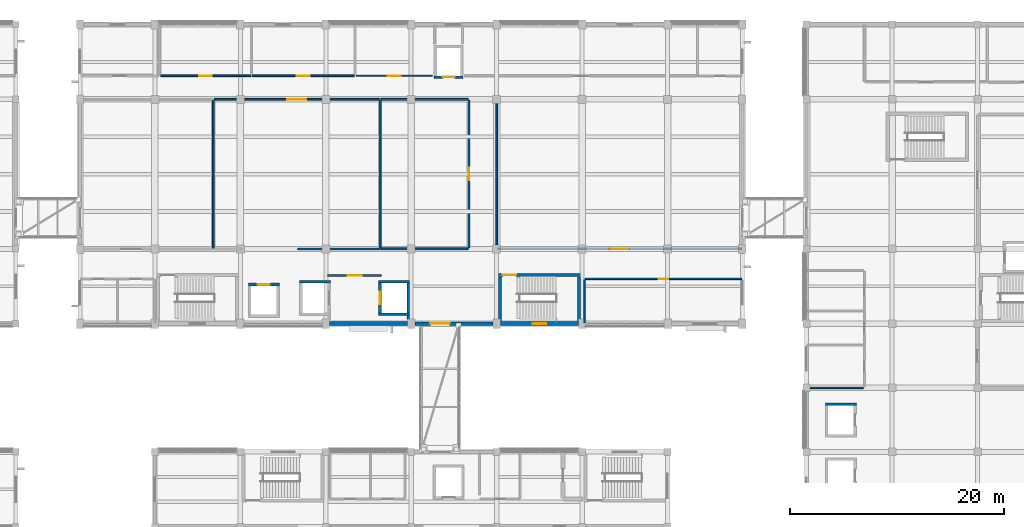
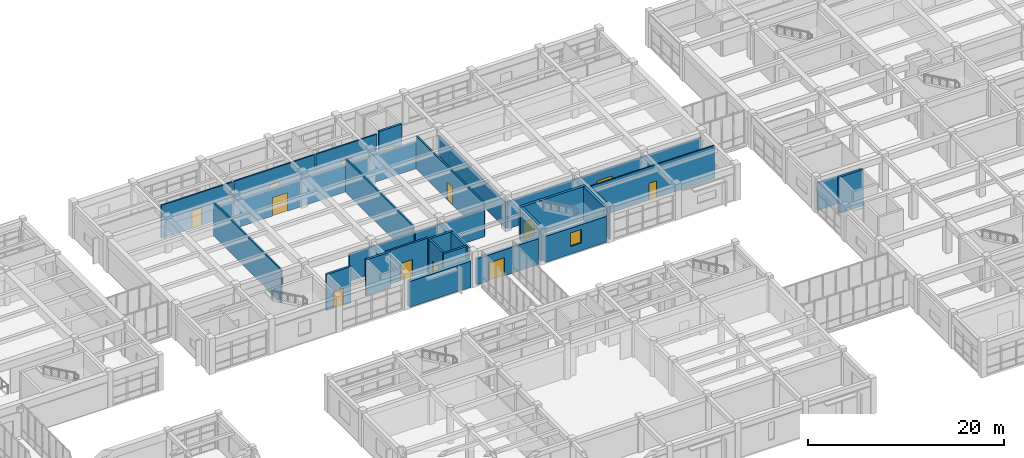
# One storey, part 52 of 72: 30 walls, 13 doors, 1 window, 14 openings.
"""IFC4 building model written with IfcOpenShell, lengths in metres."""

from ifc_helpers import new_model, si_unit, direction, frame, frame_2d, origin, place, context, subcontext, project, spatial, rectangle, extrude, material, layer, layer_set, type_object, element, fill, save


model = new_model("IFC4")

# Units and contexts
model_context = context("Model", 3, precision=1e-05, world=origin(), true_north=direction((0.0, 1.0)))
body_context = subcontext(model_context, "Body", "Model", "MODEL_VIEW")
ifc_project = project(units=[si_unit("LENGTHUNIT", "METRE"), si_unit("AREAUNIT", "SQUARE_METRE"), si_unit("VOLUMEUNIT", "CUBIC_METRE"), si_unit("PLANEANGLEUNIT", "RADIAN"), si_unit("MASSUNIT", "GRAM", prefix="KILO")], contexts=[model_context])

# Site, building, storey
site_placement = place(None, origin())
site = spatial("IfcSite", under=ifc_project, at=site_placement, CompositionType="ELEMENT")
building_placement = place(site_placement, origin())
building = spatial("IfcBuilding", under=site, at=building_placement, Name="Naurynzar Civic Courthouse", CompositionType="ELEMENT")
storey_placement = place(building_placement, frame((0.0, 0.0, 9.89990234375)))
storey = spatial("IfcBuildingStorey", under=building, at=storey_placement, Name="L03", CompositionType="ELEMENT", Elevation=9.89990234375)

# Wall
ifc_material_1 = material(Name="Acoustic Double-Stud Gypsum Partition")
ifc_layer_1 = layer(ifc_material_1, 0.1650390625)
ifc_layer_set_1 = layer_set([ifc_layer_1], Name="WL-ACOUSTIC-165")
wall_type_1 = type_object("IfcWallType", Name="WL-ACOUSTIC-165", PredefinedType="PARTITIONING", material=ifc_layer_set_1)
wall_1_placement = place(storey_placement, frame((82.39990234375, 51.0, 0.0), z_axis=(0.0, 0.0, 1.0), x_axis=(1.0, 0.0, 0.0)))
element("IfcWall", 1, at=wall_1_placement, inside=storey, type_object=wall_type_1, Name="V2 interior partition L03.355", PredefinedType="PARTITIONING", context=body_context, shape_type="SweptSolid", body=[
    extrude(rectangle(XDim=7.60009765625, YDim=0.1650390625, at=frame_2d((3.800048828125, 0.0))), origin(), (0.0, 0.0, 1.0), 3.400146484375),
])

# Wall, opening, door
wall_2_placement = place(storey_placement, frame((74.56005859375, 65.0, 0.0), z_axis=(0.0, 0.0, 1.0), x_axis=(1.0, 0.0, 0.0)))
wall_2 = element("IfcWall", 2, at=wall_2_placement, inside=storey, type_object=wall_type_1, Name="V2 interior partition L03.365", PredefinedType="PARTITIONING", context=body_context, shape_type="SweptSolid", body=[
    extrude(rectangle(XDim=15.43994140625, YDim=0.1650390625, at=frame_2d((7.719970703125, 0.0))), origin(), (0.0, 0.0, 1.0), 3.400146484375),
])
opening_1_placement = place(wall_2_placement, frame((6.820068359375, 0.0, 0.0)))
opening_1 = element("IfcOpeningElement", 3, at=opening_1_placement, cuts=wall_2, Name="Opening D-130", PredefinedType="OPENING", context=body_context, shape_type="SweptSolid", body=[
    extrude(rectangle(XDim=1.800048828125, YDim=2.300048828125, at=frame_2d((0.89990234375, 1.14990234375))), frame((0.0, 0.092529296875, 0.0), z_axis=(0.0, -1.0, 0.0), x_axis=(1.0, 0.0, 0.0)), (0.0, 0.0, 1.0), 0.18505859375),
])
ifc_material_2 = material(Name="Acoustic Oak Timber Grade A", Category="wood")
door_type_1 = type_object("IfcDoorType", Name="DR-COURT-DBL-1800x2300", OperationType="DOUBLE_DOOR_SINGLE_SWING", PredefinedType="DOOR", material=ifc_material_2)
door_1_placement = place(opening_1_placement, origin())
door_1 = element("IfcDoor", 4, at=door_1_placement, inside=storey, type_object=door_type_1, Name="Interior door D-130 (Civil Jury Courtroom 3B)", OperationType="DOUBLE_DOOR_SINGLE_SWING", OverallHeight=2.300048828125, OverallWidth=1.800048828125, PredefinedType="DOOR", context=body_context, shape_type="SweptSolid", body=[
    extrude(rectangle(XDim=1.800048828125, YDim=2.300048828125, at=frame_2d((0.89990234375, 1.14990234375))), frame((0.0, 0.02490234375, 0.0), z_axis=(0.0, -1.0, 0.0), x_axis=(1.0, 0.0, 0.0)), (0.0, 0.0, 1.0), 0.050048828125),
])
fill(opening_1, door_1)

# Wall
wall_3_placement = place(storey_placement, frame((74.47998046875, 51.080078125, 0.0), z_axis=(0.0, 0.0, 1.0), x_axis=(0.0, 1.0, 0.0)))
element("IfcWall", 5, at=wall_3_placement, inside=storey, type_object=wall_type_1, Name="V2 interior partition L03.402", PredefinedType="PARTITIONING", context=body_context, shape_type="SweptSolid", body=[
    extrude(rectangle(XDim=13.83984375, YDim=0.1650390625, at=frame_2d((6.919921875, 0.0))), origin(), (0.0, 0.0, 1.0), 4.14013671875),
])

# Wall, opening, door
ifc_material_3 = material(Name="Acoustic Double-Stud Gypsum Partition")
ifc_layer_2 = layer(ifc_material_3, 0.175048828125)
ifc_layer_set_2 = layer_set([ifc_layer_2], Name="WL-ACOUSTIC-175")
wall_type_2 = type_object("IfcWallType", Name="WL-ACOUSTIC-175", PredefinedType="PARTITIONING", material=ifc_layer_set_2)
wall_4_placement = place(storey_placement, frame((101.080078125, 51.0, 0.0), z_axis=(0.0, 0.0, 1.0), x_axis=(1.0, 0.0, 0.0)))
wall_4 = element("IfcWall", 6, at=wall_4_placement, inside=storey, type_object=wall_type_2, Name="V2 interior partition L03.357", PredefinedType="PARTITIONING", context=body_context, shape_type="SweptSolid", body=[
    extrude(rectangle(XDim=22.83984375, YDim=0.175048828125, at=frame_2d((11.419921875, 0.0))), origin(), (0.0, 0.0, 1.0), 3.400146484375),
])
opening_2_placement = place(wall_4_placement, frame((10.52001953125, 0.0, 0.0)))
opening_2 = element("IfcOpeningElement", 7, at=opening_2_placement, cuts=wall_4, Name="Opening D-132", PredefinedType="OPENING", context=body_context, shape_type="SweptSolid", body=[
    extrude(rectangle(XDim=1.800048828125, YDim=2.300048828125, at=frame_2d((0.89990234375, 1.14990234375))), frame((0.0, 0.097412109375, 0.0), z_axis=(0.0, -1.0, 0.0), x_axis=(1.0, 0.0, 0.0)), (0.0, 0.0, 1.0), 0.195068359375),
])
door_2_placement = place(opening_2_placement, origin())
door_2 = element("IfcDoor", 8, at=door_2_placement, inside=storey, type_object=door_type_1, Name="Interior door D-132 (Civil Chamber Courtroom L03-E)", OperationType="DOUBLE_DOOR_SINGLE_SWING", OverallHeight=2.300048828125, OverallWidth=1.800048828125, PredefinedType="DOOR", context=body_context, shape_type="SweptSolid", body=[
    extrude(rectangle(XDim=1.800048828125, YDim=2.300048828125, at=frame_2d((0.89990234375, 1.14990234375))), frame((0.0, 0.02490234375, 0.0), z_axis=(0.0, -1.0, 0.0), x_axis=(1.0, 0.0, 0.0)), (0.0, 0.0, 1.0), 0.050048828125),
])
fill(opening_2, door_2)

# Wall
wall_5_placement = place(storey_placement, frame((101.0, 51.080078125, 0.0), z_axis=(0.0, 0.0, 1.0), x_axis=(0.0, 1.0, 0.0)))
element("IfcWall", 9, at=wall_5_placement, inside=storey, type_object=wall_type_2, Name="V2 interior partition L03.416", PredefinedType="PARTITIONING", context=body_context, shape_type="SweptSolid", body=[
    extrude(rectangle(XDim=13.83984375, YDim=0.175048828125, at=frame_2d((6.919921875, 0.0))), origin(), (0.0, 0.0, 1.0), 3.25),
])

# Wall, opening, door
ifc_material_4 = material(Name="Concrete C40/50", Category="concrete")
ifc_layer_3 = layer(ifc_material_4, 0.300048828125)
ifc_layer_set_3 = layer_set([ifc_layer_3], Name="WL-CORE-300")
wall_type_3 = type_object("IfcWallType", Name="WL-CORE-300", PredefinedType="SHEAR", material=ifc_layer_set_3)
wall_6_placement = place(storey_placement, frame((108.85009765625, 48.550048828125, 0.0), z_axis=(0.0, 0.0, 1.0), x_axis=(-1.0, 0.0, 0.0)))
wall_6 = element("IfcWall", 10, at=wall_6_placement, inside=storey, type_object=wall_type_3, Name="Stair ST-V2B enclosure wall north L03", PredefinedType="SHEAR", context=body_context, shape_type="SweptSolid", body=[
    extrude(rectangle(XDim=7.7001953125, YDim=0.300048828125, at=frame_2d((3.85009765625, 0.0))), origin(), (0.0, 0.0, 1.0), 4.2001953125),
])
opening_3_placement = place(wall_6_placement, frame((6.02490234375, 0.0, 0.0)))
opening_3 = element("IfcOpeningElement", 11, at=opening_3_placement, cuts=wall_6, Name="Opening SD-037", PredefinedType="OPENING", context=body_context, shape_type="SweptSolid", body=[
    extrude(rectangle(XDim=1.25, YDim=2.14990234375, at=frame_2d((0.625, 1.074951171875))), frame((0.0, 0.159912109375, 0.0), z_axis=(0.0, -1.0, 0.0), x_axis=(1.0, 0.0, 0.0)), (0.0, 0.0, 1.0), 0.320068359375),
])
ifc_material_5 = material(Name="Powder-Coated Galvanised Steel", Category="steel")
door_type_2 = type_object("IfcDoorType", Name="DR-STAIR-1250x2150", OperationType="NOTDEFINED", PredefinedType="DOOR", material=ifc_material_5)
door_3_placement = place(opening_3_placement, origin())
door_3 = element("IfcDoor", 12, at=door_3_placement, inside=storey, type_object=door_type_2, Name="Stair ST-V2B fire door L03", OperationType="SINGLE_SWING_LEFT", OverallHeight=2.14990234375, OverallWidth=1.25, PredefinedType="DOOR", context=body_context, shape_type="SweptSolid", body=[
    extrude(rectangle(XDim=1.25, YDim=2.14990234375, at=frame_2d((0.625, 1.074951171875))), frame((0.0, 0.02490234375, 0.0), z_axis=(0.0, -1.0, 0.0), x_axis=(1.0, 0.0, 0.0)), (0.0, 0.0, 1.0), 0.050048828125),
])
fill(opening_3, door_3)

# Walls
for number, where, z_axis, x_axis, name in (
    (13, (101.300048828125, 48.39501953125, 0.0), (0.0, 0.0, 1.0), (0.0, -1.0, 0.0), "Stair ST-V2B enclosure wall west L03"),
    (14, (108.699951171875, 44.195068359375, 0.0), (0.0, 0.0, 1.0), (0.0, 1.0, 0.0), "Stair ST-V2B enclosure wall east L03"),
):
    element("IfcWall", number, at=place(storey_placement, frame(where, z_axis=z_axis, x_axis=x_axis)), inside=storey, type_object=wall_type_3, Name=name, PredefinedType="SHEAR", context=body_context, shape_type="SweptSolid", body=[
        extrude(rectangle(XDim=4.199951171875, YDim=0.300048828125, at=frame_2d((2.10009765625, 0.0))), origin(), (0.0, 0.0, 1.0), 4.2001953125),
    ])

# Wall, opening, door
ifc_material_6 = material(Name="Precast concrete C40/50", Category="concrete")
ifc_layer_4 = layer(ifc_material_6, 0.300048828125)
ifc_layer_set_4 = layer_set([ifc_layer_4], Name="WL-EXT-300")
wall_type_4 = type_object("IfcWallType", Name="WL-EXT-300", PredefinedType="SOLIDWALL", material=ifc_layer_set_4)
wall_7_placement = place(storey_placement, frame((100.64990234375, 44.0, 0.0), z_axis=(0.0, 0.0, 1.0), x_axis=(-1.0, 0.0, 0.0)))
wall_7 = element("IfcWall", 15, at=wall_7_placement, inside=storey, type_object=wall_type_4, Name="V2 exterior wall south L03.4.1", PredefinedType="SOLIDWALL", context=body_context, shape_type="SweptSolid", body=[
    extrude(rectangle(XDim=7.2998046875, YDim=0.300048828125, at=frame_2d((3.64990234375, 0.0))), origin(), (0.0, 0.0, 1.0), 3.22998046875),
])
opening_4_placement = place(wall_7_placement, frame((4.050048828125, 0.0, 0.0)))
opening_4 = element("IfcOpeningElement", 16, at=opening_4_placement, cuts=wall_7, Name="Opening BD-13", PredefinedType="OPENING", context=body_context, shape_type="SweptSolid", body=[
    extrude(rectangle(XDim=1.800048828125, YDim=2.25, at=frame_2d((0.89990234375, 1.125))), frame((0.0, 0.159912109375, 0.0), z_axis=(0.0, -1.0, 0.0), x_axis=(1.0, 0.0, 0.0)), (0.0, 0.0, 1.0), 0.320068359375),
])
ifc_material_7 = material(Name="Aluminium 6063-T6", Category="aluminium")
door_type_3 = type_object("IfcDoorType", Name="DR-BRG-1800x2250", OperationType="DOUBLE_DOOR_SINGLE_SWING", PredefinedType="DOOR", material=ifc_material_7)
door_4_placement = place(opening_4_placement, origin())
door_4 = element("IfcDoor", 17, at=door_4_placement, inside=storey, type_object=door_type_3, Name="Seismic bridge fire door BD-13", OperationType="DOUBLE_DOOR_SINGLE_SWING", OverallHeight=2.25, OverallWidth=1.800048828125, PredefinedType="DOOR", context=body_context, shape_type="SweptSolid", body=[
    extrude(rectangle(XDim=1.800048828125, YDim=2.25, at=frame_2d((0.89990234375, 1.125))), frame((0.0, 0.02490234375, 0.0), z_axis=(0.0, -1.0, 0.0), x_axis=(1.0, 0.0, 0.0)), (0.0, 0.0, 1.0), 0.050048828125),
])
fill(opening_4, door_4)

ifc_material_8 = material(Name="Concrete C35/45", Category="concrete")
ifc_layer_5 = layer(ifc_material_8, 0.219970703125)
ifc_layer_set_5 = layer_set([ifc_layer_5], Name="WL-FFL-220")
wall_type_5 = type_object("IfcWallType", Name="WL-FFL-220", PredefinedType="SOLIDWALL", material=ifc_layer_set_5)
wall_8_placement = place(storey_placement, frame((85.179931640625, 48.510009765625, 0.0), z_axis=(0.0, 0.0, 1.0), x_axis=(1.0, 0.0, 0.0)))
wall_8 = element("IfcWall", 18, at=wall_8_placement, inside=storey, type_object=wall_type_5, Name="Firefighting lift lobby EI 120 wall CORE-V2 L03 north", PredefinedType="SOLIDWALL", context=body_context, shape_type="SweptSolid", body=[
    extrude(rectangle(XDim=5.0400390625, YDim=0.219970703125, at=frame_2d((2.52001953125, 0.0))), origin(), (0.0, 0.0, 1.0), 4.2001953125),
])
opening_5_placement = place(wall_8_placement, frame((1.8701171875, 0.0, 0.0)))
opening_5 = element("IfcOpeningElement", 19, at=opening_5_placement, cuts=wall_8, Name="Opening FD-04", PredefinedType="OPENING", context=body_context, shape_type="SweptSolid", body=[
    extrude(rectangle(XDim=1.300048828125, YDim=2.14990234375, at=frame_2d((0.64990234375, 1.074951171875))), frame((0.0, 0.119873046875, 0.0), z_axis=(0.0, -1.0, 0.0), x_axis=(1.0, 0.0, 0.0)), (0.0, 0.0, 1.0), 0.239990234375),
])
ifc_material_9 = material(Name="Powder-Coated Galvanised Steel", Category="steel")
door_type_4 = type_object("IfcDoorType", Name="DR-FFL-1300x2150", OperationType="NOTDEFINED", PredefinedType="DOOR", material=ifc_material_9)
door_5_placement = place(opening_5_placement, origin())
door_5 = element("IfcDoor", 20, at=door_5_placement, inside=storey, type_object=door_type_4, Name="Firefighting lift lobby door FD-04", OperationType="SINGLE_SWING_RIGHT", OverallHeight=2.14990234375, OverallWidth=1.300048828125, PredefinedType="DOOR", context=body_context, shape_type="SweptSolid", body=[
    extrude(rectangle(XDim=1.300048828125, YDim=2.14990234375, at=frame_2d((0.64990234375, 1.074951171875))), frame((0.0, 0.02490234375, 0.0), z_axis=(0.0, -1.0, 0.0), x_axis=(1.0, 0.0, 0.0)), (0.0, 0.0, 1.0), 0.050048828125),
])
fill(opening_5, door_5)

ifc_material_10 = material(Name="Insulated Metal-Stud Gypsum Partition")
ifc_layer_6 = layer(ifc_material_10, 0.159912109375)
ifc_layer_set_6 = layer_set([ifc_layer_6], Name="WL-PART-CHAMB-160")
wall_type_6 = type_object("IfcWallType", Name="WL-PART-CHAMB-160", PredefinedType="PARTITIONING", material=ifc_layer_set_6)
wall_9_placement = place(storey_placement, frame((69.5400390625, 67.199951171875, 0.0), z_axis=(0.0, 0.0, 1.0), x_axis=(1.0, 0.0, 0.0)))
wall_9 = element("IfcWall", 21, at=wall_9_placement, inside=storey, type_object=wall_type_6, Name="V2 interior partition L03.378", PredefinedType="PARTITIONING", context=body_context, shape_type="SweptSolid", body=[
    extrude(rectangle(XDim=8.419921875, YDim=0.159912109375, at=frame_2d((4.2099609375, 0.0))), origin(), (0.0, 0.0, 1.0), 4.14013671875),
])
opening_6_placement = place(wall_9_placement, frame((3.6201171875, 0.0, 0.0)))
opening_6 = element("IfcOpeningElement", 22, at=opening_6_placement, cuts=wall_9, Name="Opening D-134", PredefinedType="OPENING", context=body_context, shape_type="SweptSolid", body=[
    extrude(rectangle(XDim=1.179931640625, YDim=2.199951171875, at=frame_2d((0.58984375, 1.10009765625))), frame((0.0, 0.08984375, 0.0), z_axis=(0.0, -1.0, 0.0), x_axis=(1.0, 0.0, 0.0)), (0.0, 0.0, 1.0), 0.179931640625),
])
ifc_material_11 = material(Name="Acoustic Oak Timber Grade A", Category="wood")
door_type_5 = type_object("IfcDoorType", Name="DR-SUITE-1180x2200", OperationType="NOTDEFINED", PredefinedType="DOOR", material=ifc_material_11)
door_6_placement = place(opening_6_placement, origin())
door_6 = element("IfcDoor", 23, at=door_6_placement, inside=storey, type_object=door_type_5, Name="Interior door D-134 (Judges' Chambers L03-2)", OperationType="SINGLE_SWING_RIGHT", OverallHeight=2.199951171875, OverallWidth=1.179931640625, PredefinedType="DOOR", context=body_context, shape_type="SweptSolid", body=[
    extrude(rectangle(XDim=1.179931640625, YDim=2.199951171875, at=frame_2d((0.58984375, 1.10009765625))), frame((0.0, 0.02490234375, 0.0), z_axis=(0.0, -1.0, 0.0), x_axis=(1.0, 0.0, 0.0)), (0.0, 0.0, 1.0), 0.050048828125),
])
fill(opening_6, door_6)

wall_10_placement = place(storey_placement, frame((78.1201171875, 67.199951171875, 0.0), z_axis=(0.0, 0.0, 1.0), x_axis=(1.0, 0.0, 0.0)))
wall_10 = element("IfcWall", 24, at=wall_10_placement, inside=storey, type_object=wall_type_6, Name="V2 interior partition L03.379", PredefinedType="PARTITIONING", context=body_context, shape_type="SweptSolid", body=[
    extrude(rectangle(XDim=9.539794921875, YDim=0.159912109375, at=frame_2d((4.77001953125, 0.0))), origin(), (0.0, 0.0, 1.0), 4.14013671875),
])
opening_7_placement = place(wall_10_placement, frame((4.159912109375, 0.0, 0.0)))
opening_7 = element("IfcOpeningElement", 25, at=opening_7_placement, cuts=wall_10, Name="Opening D-135", PredefinedType="OPENING", context=body_context, shape_type="SweptSolid", body=[
    extrude(rectangle(XDim=1.219970703125, YDim=2.199951171875, at=frame_2d((0.60986328125, 1.10009765625))), frame((0.0, 0.08984375, 0.0), z_axis=(0.0, -1.0, 0.0), x_axis=(1.0, 0.0, 0.0)), (0.0, 0.0, 1.0), 0.179931640625),
])
ifc_material_12 = material(Name="Acoustic Oak Timber Grade A", Category="wood")
door_type_6 = type_object("IfcDoorType", Name="DR-SUITE-1220x2200", OperationType="NOTDEFINED", PredefinedType="DOOR", material=ifc_material_12)
door_7_placement = place(opening_7_placement, origin())
door_7 = element("IfcDoor", 26, at=door_7_placement, inside=storey, type_object=door_type_6, Name="Interior door D-135 (Judges' Chambers L03-3)", OperationType="SINGLE_SWING_LEFT", OverallHeight=2.199951171875, OverallWidth=1.219970703125, PredefinedType="DOOR", context=body_context, shape_type="SweptSolid", body=[
    extrude(rectangle(XDim=1.219970703125, YDim=2.199951171875, at=frame_2d((0.60986328125, 1.10009765625))), frame((0.0, 0.02490234375, 0.0), z_axis=(0.0, -1.0, 0.0), x_axis=(1.0, 0.0, 0.0)), (0.0, 0.0, 1.0), 0.050048828125),
])
fill(opening_7, door_7)

wall_11_placement = place(storey_placement, frame((87.820068359375, 67.199951171875, 0.0), z_axis=(0.0, 0.0, 1.0), x_axis=(1.0, 0.0, 0.0)))
wall_11 = element("IfcWall", 27, at=wall_11_placement, inside=storey, type_object=wall_type_6, Name="V2 interior partition L03.380", PredefinedType="PARTITIONING", context=body_context, shape_type="SweptSolid", body=[
    extrude(rectangle(XDim=7.179931640625, YDim=0.159912109375, at=frame_2d((3.58984375, 0.0))), origin(), (0.0, 0.0, 1.0), 4.14013671875),
])
opening_8_placement = place(wall_11_placement, frame((2.9599609375, 0.0, 0.0)))
opening_8 = element("IfcOpeningElement", 28, at=opening_8_placement, cuts=wall_11, Name="Opening D-136", PredefinedType="OPENING", context=body_context, shape_type="SweptSolid", body=[
    extrude(rectangle(XDim=1.260009765625, YDim=2.199951171875, at=frame_2d((0.6298828125, 1.10009765625))), frame((0.0, 0.08984375, 0.0), z_axis=(0.0, -1.0, 0.0), x_axis=(1.0, 0.0, 0.0)), (0.0, 0.0, 1.0), 0.179931640625),
])
ifc_material_13 = material(Name="Acoustic Oak Timber Grade A", Category="wood")
door_type_7 = type_object("IfcDoorType", Name="DR-SUITE-1260x2200", OperationType="NOTDEFINED", PredefinedType="DOOR", material=ifc_material_13)
door_8_placement = place(opening_8_placement, origin())
door_8 = element("IfcDoor", 29, at=door_8_placement, inside=storey, type_object=door_type_7, Name="Interior door D-136 (Judges' Chambers L03-4)", OperationType="SINGLE_SWING_RIGHT", OverallHeight=2.199951171875, OverallWidth=1.260009765625, PredefinedType="DOOR", context=body_context, shape_type="SweptSolid", body=[
    extrude(rectangle(XDim=1.260009765625, YDim=2.199951171875, at=frame_2d((0.6298828125, 1.10009765625))), frame((0.0, 0.02490234375, 0.0), z_axis=(0.0, -1.0, 0.0), x_axis=(1.0, 0.0, 0.0)), (0.0, 0.0, 1.0), 0.050048828125),
])
fill(opening_8, door_8)

ifc_material_14 = material(Name="Fire-Rated Corridor Gypsum Partition")
ifc_layer_7 = layer(ifc_material_14, 0.14990234375)
ifc_layer_set_7 = layer_set([ifc_layer_7], Name="WL-PART-CORR-150")
wall_type_7 = type_object("IfcWallType", Name="WL-PART-CORR-150", PredefinedType="PARTITIONING", material=ifc_layer_set_7)
wall_12_placement = place(storey_placement, frame((109.280029296875, 48.199951171875, 0.0), z_axis=(0.0, 0.0, 1.0), x_axis=(1.0, 0.0, 0.0)))
wall_12 = element("IfcWall", 30, at=wall_12_placement, inside=storey, type_object=wall_type_7, Name="V2 interior partition L03.348", PredefinedType="PARTITIONING", context=body_context, shape_type="SweptSolid", body=[
    extrude(rectangle(XDim=14.639892578125, YDim=0.14990234375, at=frame_2d((7.31982421875, 0.0))), origin(), (0.0, 0.0, 1.0), 4.14013671875),
])
opening_9_placement = place(wall_12_placement, frame((6.8701171875, 0.0, 0.0)))
opening_9 = element("IfcOpeningElement", 31, at=opening_9_placement, cuts=wall_12, Name="Opening D-128", PredefinedType="OPENING", context=body_context, shape_type="SweptSolid", body=[
    extrude(rectangle(XDim=0.89990234375, YDim=2.10009765625, at=frame_2d((0.449951171875, 1.050048828125))), frame((0.0, 0.0849609375, 0.0), z_axis=(0.0, -1.0, 0.0), x_axis=(1.0, 0.0, 0.0)), (0.0, 0.0, 1.0), 0.169921875),
])
ifc_material_15 = material(Name="Acoustic Oak Timber Grade A", Category="wood")
door_type_8 = type_object("IfcDoorType", Name="DR-SUITE-900x2100", OperationType="NOTDEFINED", PredefinedType="DOOR", material=ifc_material_15)
door_9_placement = place(opening_9_placement, origin())
door_9 = element("IfcDoor", 32, at=door_9_placement, inside=storey, type_object=door_type_8, Name="Interior door D-128 (Witness Waiting Room V2)", OperationType="SINGLE_SWING_RIGHT", OverallHeight=2.10009765625, OverallWidth=0.89990234375, PredefinedType="DOOR", context=body_context, shape_type="SweptSolid", body=[
    extrude(rectangle(XDim=0.89990234375, YDim=2.10009765625, at=frame_2d((0.449951171875, 1.050048828125))), frame((0.0, 0.02490234375, 0.0), z_axis=(0.0, -1.0, 0.0), x_axis=(1.0, 0.0, 0.0)), (0.0, 0.0, 1.0), 0.050048828125),
])
fill(opening_9, door_9)

# Walls
wall_13_placement = place(storey_placement, frame((109.199951171875, 44.080078125, 0.0), z_axis=(0.0, 0.0, 1.0), x_axis=(0.0, 1.0, 0.0)))
element("IfcWall", 33, at=wall_13_placement, inside=storey, type_object=wall_type_7, Name="V2 interior partition L03.419", PredefinedType="PARTITIONING", context=body_context, shape_type="SweptSolid", body=[
    extrude(rectangle(XDim=4.0400390625, YDim=0.14990234375, at=frame_2d((2.02001953125, 0.0))), origin(), (0.0, 0.0, 1.0), 4.14013671875),
])
ifc_material_16 = material(Name="Acoustic Double-Stud Gypsum Partition")
ifc_layer_8 = layer(ifc_material_16, 0.179931640625)
ifc_layer_set_8 = layer_set([ifc_layer_8], Name="WL-PART-JURY-180")
wall_type_8 = type_object("IfcWallType", Name="WL-PART-JURY-180", PredefinedType="PARTITIONING", material=ifc_layer_set_8)
for number, where, z_axis, x_axis, name in (
    (34, (90.159912109375, 51.0, 0.0), (0.0, 0.0, 1.0), (1.0, 0.0, 0.0), "V2 interior partition L03.356"),
    (35, (90.159912109375, 65.0, 0.0), (0.0, 0.0, 1.0), (1.0, 0.0, 0.0), "V2 interior partition L03.366"),
):
    element("IfcWall", number, at=place(storey_placement, frame(where, z_axis=z_axis, x_axis=x_axis)), inside=storey, type_object=wall_type_8, Name=name, PredefinedType="PARTITIONING", context=body_context, shape_type="SweptSolid", body=[
        extrude(rectangle(XDim=8.16015625, YDim=0.179931640625, at=frame_2d((4.080078125, 0.0))), origin(), (0.0, 0.0, 1.0), 3.400146484375),
    ])
wall_14_placement = place(storey_placement, frame((90.080078125, 51.080078125, 0.0), z_axis=(0.0, 0.0, 1.0), x_axis=(0.0, 1.0, 0.0)))
element("IfcWall", 36, at=wall_14_placement, inside=storey, type_object=wall_type_8, Name="V2 interior partition L03.409", PredefinedType="PARTITIONING", context=body_context, shape_type="SweptSolid", body=[
    extrude(rectangle(XDim=13.83984375, YDim=0.179931640625, at=frame_2d((6.919921875, 0.0))), origin(), (0.0, 0.0, 1.0), 4.14013671875),
])

# Wall, opening, door
wall_15_placement = place(storey_placement, frame((98.39990234375, 51.080078125, 0.0), z_axis=(0.0, 0.0, 1.0), x_axis=(0.0, 1.0, 0.0)))
wall_15 = element("IfcWall", 37, at=wall_15_placement, inside=storey, type_object=wall_type_8, Name="V2 interior partition L03.413", PredefinedType="PARTITIONING", context=body_context, shape_type="SweptSolid", body=[
    extrude(rectangle(XDim=13.83984375, YDim=0.179931640625, at=frame_2d((6.919921875, 0.0))), origin(), (0.0, 0.0, 1.0), 4.14013671875),
])
opening_10_placement = place(wall_15_placement, frame((6.344970703125, 0.0, 0.0)))
opening_10 = element("IfcOpeningElement", 38, at=opening_10_placement, cuts=wall_15, Name="Opening D-131", PredefinedType="OPENING", context=body_context, shape_type="SweptSolid", body=[
    extrude(rectangle(XDim=1.14990234375, YDim=2.199951171875, at=frame_2d((0.574951171875, 1.10009765625))), frame((0.0, 0.099853515625, 0.0), z_axis=(0.0, -1.0, 0.0), x_axis=(1.0, 0.0, 0.0)), (0.0, 0.0, 1.0), 0.199951171875),
])
ifc_material_17 = material(Name="Acoustic Oak Timber Grade A", Category="wood")
door_type_9 = type_object("IfcDoorType", Name="DR-JURY-1150x2200", OperationType="NOTDEFINED", PredefinedType="DOOR", material=ifc_material_17)
door_10_placement = place(opening_10_placement, origin())
door_10 = element("IfcDoor", 39, at=door_10_placement, inside=storey, type_object=door_type_9, Name="Interior door D-131 (Jury Room 3B)", OperationType="SINGLE_SWING_LEFT", OverallHeight=2.199951171875, OverallWidth=1.14990234375, PredefinedType="DOOR", context=body_context, shape_type="SweptSolid", body=[
    extrude(rectangle(XDim=1.14990234375, YDim=2.199951171875, at=frame_2d((0.574951171875, 1.10009765625))), frame((0.0, 0.02490234375, 0.0), z_axis=(0.0, -1.0, 0.0), x_axis=(1.0, 0.0, 0.0)), (0.0, 0.0, 1.0), 0.050048828125),
])
fill(opening_10, door_10)

# Wall
ifc_material_18 = material(Name="Moisture-Resistant Plumbing Partition")
ifc_layer_9 = layer(ifc_material_18, 0.139892578125)
ifc_layer_set_9 = layer_set([ifc_layer_9], Name="WL-PART-WC-140")
wall_type_9 = type_object("IfcWallType", Name="WL-PART-WC-140", PredefinedType="PLUMBINGWALL", material=ifc_layer_set_9)
wall_16_placement = place(storey_placement, frame((130.080078125, 38.0, 0.0), z_axis=(0.0, 0.0, 1.0), x_axis=(1.0, 0.0, 0.0)))
element("IfcWall", 40, at=wall_16_placement, inside=storey, type_object=wall_type_9, Name="V5 interior partition L03.338", PredefinedType="PLUMBINGWALL", context=body_context, shape_type="SweptSolid", body=[
    extrude(rectangle(XDim=5.239990234375, YDim=0.139892578125, at=frame_2d((2.6201171875, 0.0))), origin(), (0.0, 0.0, 1.0), 3.4501953125),
])

# Wall, opening, window
ifc_material_19 = material(Name="Concrete C40/50", Category="concrete")
ifc_layer_10 = layer(ifc_material_19, 0.3798828125)
ifc_layer_set_10 = layer_set([ifc_layer_10], Name="WL-RET-380")
wall_type_10 = type_object("IfcWallType", Name="WL-RET-380", PredefinedType="STANDARD", material=ifc_layer_set_10)
wall_17_placement = place(storey_placement, frame((108.64990234375, 44.0, 0.0), z_axis=(0.0, 0.0, 1.0), x_axis=(-1.0, 0.0, 0.0)))
wall_17 = element("IfcWall", 41, at=wall_17_placement, inside=storey, type_object=wall_type_10, Name="V2 exterior wall south L03.3.1", PredefinedType="STANDARD", context=body_context, shape_type="SweptSolid", body=[
    extrude(rectangle(XDim=7.2998046875, YDim=0.3798828125, at=frame_2d((3.64990234375, 0.0))), origin(), (0.0, 0.0, 1.0), 3.22998046875),
])
opening_11_placement = place(wall_17_placement, frame((3.0, 0.0, 0.949951171875)))
opening_11 = element("IfcOpeningElement", 42, at=opening_11_placement, cuts=wall_17, Name="Opening WM-08", PredefinedType="OPENING", context=body_context, shape_type="SweptSolid", body=[
    extrude(rectangle(XDim=1.300048828125, YDim=1.699951171875, at=frame_2d((0.64990234375, 0.85009765625))), frame((0.0, 0.199951171875, 0.0), z_axis=(0.0, -1.0, 0.0), x_axis=(1.0, 0.0, 0.0)), (0.0, 0.0, 1.0), 0.39990234375),
])
ifc_material_20 = material(Name="Tempered Laminated Low-E Glass", Category="glass")
window_type = type_object("IfcWindowType", Name="WIN-MOD-1300x1700", PartitioningType="SINGLE_PANEL", PredefinedType="WINDOW", material=ifc_material_20)
window_placement = place(opening_11_placement, origin())
window = element("IfcWindow", 43, at=window_placement, inside=storey, type_object=window_type, Name="Modular glazed window 8", OverallHeight=1.699951171875, OverallWidth=1.300048828125, PartitioningType="SINGLE_PANEL", PredefinedType="WINDOW", context=body_context, shape_type="SweptSolid", body=[
    extrude(rectangle(XDim=1.300048828125, YDim=1.699951171875, at=frame_2d((0.64990234375, 0.85009765625))), frame((0.0, 0.030029296875, 0.0), z_axis=(0.0, -1.0, 0.0), x_axis=(1.0, 0.0, 0.0)), (0.0, 0.0, 1.0), 0.06005859375),
])
fill(opening_11, window)

# Wall
wall_18_placement = place(storey_placement, frame((92.64990234375, 44.0, 0.0), z_axis=(0.0, 0.0, 1.0), x_axis=(-1.0, 0.0, 0.0)))
element("IfcWall", 44, at=wall_18_placement, inside=storey, type_object=wall_type_10, Name="V2 exterior wall south L03.5.1", PredefinedType="STANDARD", context=body_context, shape_type="SweptSolid", body=[
    extrude(rectangle(XDim=7.2998046875, YDim=0.3798828125, at=frame_2d((3.64990234375, 0.0))), origin(), (0.0, 0.0, 1.0), 3.22998046875),
])

# Wall, opening, door
ifc_material_21 = material(Name="Concrete C40/50", Category="concrete")
ifc_layer_11 = layer(ifc_material_21, 0.25)
ifc_layer_set_11 = layer_set([ifc_layer_11], Name="WL-SHAFT-250")
wall_type_11 = type_object("IfcWallType", Name="WL-SHAFT-250", PredefinedType="SHEAR", material=ifc_layer_set_11)
wall_19_placement = place(storey_placement, frame((80.64990234375, 47.675048828125, 0.0), z_axis=(0.0, 0.0, 1.0), x_axis=(-1.0, 0.0, 0.0)))
wall_19 = element("IfcWall", 45, at=wall_19_placement, inside=storey, type_object=wall_type_11, Name="Lift LP-03 shaft wall north L03", PredefinedType="SHEAR", context=body_context, shape_type="SweptSolid", body=[
    extrude(rectangle(XDim=2.89990234375, YDim=0.25, at=frame_2d((1.449951171875, 0.0))), origin(), (0.0, 0.0, 1.0), 4.5),
])
opening_12_placement = place(wall_19_placement, frame((0.89990234375, 0.0, 0.0)))
opening_12 = element("IfcOpeningElement", 46, at=opening_12_placement, cuts=wall_19, Name="Opening LD-020", PredefinedType="OPENING", context=body_context, shape_type="SweptSolid", body=[
    extrude(rectangle(XDim=1.10009765625, YDim=2.14990234375, at=frame_2d((0.550048828125, 1.074951171875))), frame((0.0, 0.135009765625, 0.0), z_axis=(0.0, -1.0, 0.0), x_axis=(1.0, 0.0, 0.0)), (0.0, 0.0, 1.0), 0.27001953125),
])
ifc_material_22 = material(Name="Brushed Stainless Steel 304", Category="steel")
door_type_10 = type_object("IfcDoorType", Name="DR-LIFT-SLIDE-1100x2150", OperationType="DOUBLE_DOOR_SLIDING", PredefinedType="DOOR", material=ifc_material_22)
door_11_placement = place(opening_12_placement, origin())
door_11 = element("IfcDoor", 47, at=door_11_placement, inside=storey, type_object=door_type_10, Name="Lift LP-03 sliding landing door L03", OperationType="DOUBLE_DOOR_SLIDING", OverallHeight=2.14990234375, OverallWidth=1.10009765625, PredefinedType="DOOR", context=body_context, shape_type="SweptSolid", body=[
    extrude(rectangle(XDim=1.10009765625, YDim=2.14990234375, at=frame_2d((0.550048828125, 1.074951171875))), frame((0.0, 0.02490234375, 0.0), z_axis=(0.0, -1.0, 0.0), x_axis=(1.0, 0.0, 0.0)), (0.0, 0.0, 1.0), 0.050048828125),
])
fill(opening_12, door_11)

# Walls
wall_20_placement = place(storey_placement, frame((85.449951171875, 47.925048828125, 0.0), z_axis=(0.0, 0.0, 1.0), x_axis=(-1.0, 0.0, 0.0)))
element("IfcWall", 48, at=wall_20_placement, inside=storey, type_object=wall_type_11, Name="Lift FL-02 shaft wall north L03", PredefinedType="SHEAR", context=body_context, shape_type="SweptSolid", body=[
    extrude(rectangle(XDim=2.89990234375, YDim=0.25, at=frame_2d((1.449951171875, 0.0))), origin(), (0.0, 0.0, 1.0), 4.5),
])
for number, where, z_axis, x_axis, name in (
    (49, (89.949951171875, 44.875, 0.0), (0.0, 0.0, 1.0), (1.0, 0.0, 0.0), "Lift FL-01 shaft wall south L03"),
    (50, (92.85009765625, 47.925048828125, 0.0), (0.0, 0.0, 1.0), (-1.0, 0.0, 0.0), "Lift FL-01 shaft wall north L03"),
):
    element("IfcWall", number, at=place(storey_placement, frame(where, z_axis=z_axis, x_axis=x_axis)), inside=storey, type_object=wall_type_11, Name=name, PredefinedType="SHEAR", context=body_context, shape_type="SweptSolid", body=[
        extrude(rectangle(XDim=2.900146484375, YDim=0.25, at=frame_2d((1.4501953125, 0.0))), origin(), (0.0, 0.0, 1.0), 4.5),
    ])

# Wall, opening, door
wall_21_placement = place(storey_placement, frame((90.074951171875, 47.794921875, 0.0), z_axis=(0.0, 0.0, 1.0), x_axis=(0.0, -1.0, 0.0)))
wall_21 = element("IfcWall", 51, at=wall_21_placement, inside=storey, type_object=wall_type_11, Name="Lift FL-01 shaft wall west L03", PredefinedType="SHEAR", context=body_context, shape_type="SweptSolid", body=[
    extrude(rectangle(XDim=2.7900390625, YDim=0.25, at=frame_2d((1.39501953125, 0.0))), origin(), (0.0, 0.0, 1.0), 4.5),
])
opening_13_placement = place(wall_21_placement, frame((0.794921875, 0.0, 0.0)))
opening_13 = element("IfcOpeningElement", 52, at=opening_13_placement, cuts=wall_21, Name="Opening LD-042", PredefinedType="OPENING", context=body_context, shape_type="SweptSolid", body=[
    extrude(rectangle(XDim=1.199951171875, YDim=2.199951171875, at=frame_2d((0.60009765625, 1.10009765625))), frame((0.0, 0.135009765625, 0.0), z_axis=(0.0, -1.0, 0.0), x_axis=(1.0, 0.0, 0.0)), (0.0, 0.0, 1.0), 0.27001953125),
])
ifc_material_23 = material(Name="Brushed Stainless Steel 304", Category="steel")
door_type_11 = type_object("IfcDoorType", Name="DR-LIFT-FF-1200x2200", OperationType="DOUBLE_DOOR_SLIDING", PredefinedType="DOOR", material=ifc_material_23)
door_12_placement = place(opening_13_placement, origin())
door_12 = element("IfcDoor", 53, at=door_12_placement, inside=storey, type_object=door_type_11, Name="Lift FL-01 sliding landing door L03", OperationType="DOUBLE_DOOR_SLIDING", OverallHeight=2.199951171875, OverallWidth=1.199951171875, PredefinedType="DOOR", context=body_context, shape_type="SweptSolid", body=[
    extrude(rectangle(XDim=1.199951171875, YDim=2.199951171875, at=frame_2d((0.60009765625, 1.10009765625))), frame((0.0, 0.02490234375, 0.0), z_axis=(0.0, -1.0, 0.0), x_axis=(1.0, 0.0, 0.0)), (0.0, 0.0, 1.0), 0.050048828125),
])
fill(opening_13, door_12)

# Wall
wall_22_placement = place(storey_placement, frame((92.72509765625, 44.405029296875, 0.0), z_axis=(0.0, 0.0, 1.0), x_axis=(0.0, 1.0, 0.0)))
element("IfcWall", 54, at=wall_22_placement, inside=storey, type_object=wall_type_11, Name="Lift FL-01 shaft wall east L03", PredefinedType="SHEAR", context=body_context, shape_type="SweptSolid", body=[
    extrude(rectangle(XDim=3.389892578125, YDim=0.25, at=frame_2d((1.69482421875, 0.0))), origin(), (0.0, 0.0, 1.0), 4.5),
])

# Wall, opening, door
wall_23_placement = place(storey_placement, frame((95.14990234375, 67.074951171875, 0.0), z_axis=(0.0, 0.0, 1.0), x_axis=(1.0, 0.0, 0.0)))
wall_23 = element("IfcWall", 55, at=wall_23_placement, inside=storey, type_object=wall_type_11, Name="Lift LJ-02 shaft wall south L03", PredefinedType="SHEAR", context=body_context, shape_type="SweptSolid", body=[
    extrude(rectangle(XDim=2.7001953125, YDim=0.25, at=frame_2d((1.35009765625, 0.0))), origin(), (0.0, 0.0, 1.0), 4.5),
])
opening_14_placement = place(wall_23_placement, frame((0.800048828125, 0.0, 0.0)))
opening_14 = element("IfcOpeningElement", 56, at=opening_14_placement, cuts=wall_23, Name="Opening LD-053", PredefinedType="OPENING", context=body_context, shape_type="SweptSolid", body=[
    extrude(rectangle(XDim=1.10009765625, YDim=2.14990234375, at=frame_2d((0.550048828125, 1.074951171875))), frame((0.0, 0.135009765625, 0.0), z_axis=(0.0, -1.0, 0.0), x_axis=(1.0, 0.0, 0.0)), (0.0, 0.0, 1.0), 0.27001953125),
])
door_13_placement = place(opening_14_placement, origin())
door_13 = element("IfcDoor", 57, at=door_13_placement, inside=storey, type_object=door_type_10, Name="Lift LJ-02 sliding landing door L03", OperationType="DOUBLE_DOOR_SLIDING", OverallHeight=2.14990234375, OverallWidth=1.10009765625, PredefinedType="DOOR", context=body_context, shape_type="SweptSolid", body=[
    extrude(rectangle(XDim=1.10009765625, YDim=2.14990234375, at=frame_2d((0.550048828125, 1.074951171875))), frame((0.0, 0.02490234375, 0.0), z_axis=(0.0, -1.0, 0.0), x_axis=(1.0, 0.0, 0.0)), (0.0, 0.0, 1.0), 0.050048828125),
])
fill(opening_14, door_13)

# Wall
wall_24_placement = place(storey_placement, frame((134.64990234375, 36.47509765625, 0.0), z_axis=(0.0, 0.0, 1.0), x_axis=(-1.0, 0.0, 0.0)))
element("IfcWall", 58, at=wall_24_placement, inside=storey, type_object=wall_type_11, Name="Lift LP-05 shaft wall north L03", PredefinedType="SHEAR", context=body_context, shape_type="SweptSolid", body=[
    extrude(rectangle(XDim=2.89990234375, YDim=0.25, at=frame_2d((1.449951171875, 0.0))), origin(), (0.0, 0.0, 1.0), 4.5),
])

save(model, "model.ifc")
